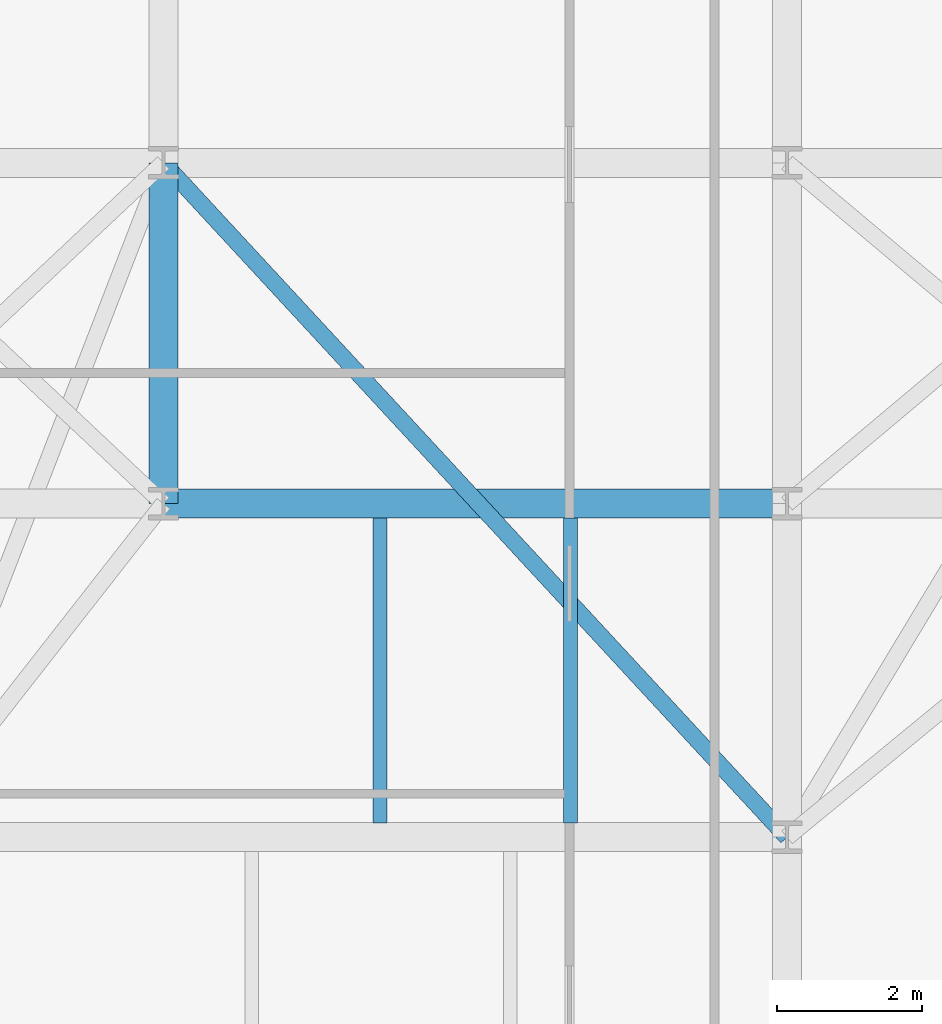
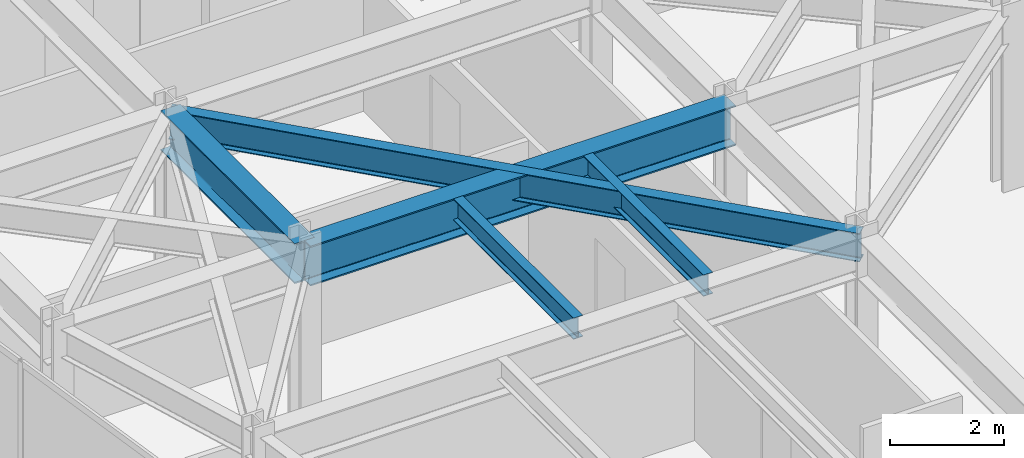
# One storey, part 10 of 26: 5 beams.
"""IFC4 building model written with IfcOpenShell, lengths in metres."""

from ifc_helpers import new_model, si_unit, direction, frame, origin, origin_2d, place, context, subcontext, project, spatial, i_section, extrude, material, material_profile, profile_set, type_object, element, save


model = new_model("IFC4")

# Units and contexts
model_context = context("Model", 3, precision=1e-05, world=origin(), true_north=direction((0.0, 1.0)))
body_context = subcontext(model_context, "Body", "Model", "MODEL_VIEW")
ifc_project = project(units=[si_unit("LENGTHUNIT", "METRE"), si_unit("AREAUNIT", "SQUARE_METRE"), si_unit("VOLUMEUNIT", "CUBIC_METRE"), si_unit("PLANEANGLEUNIT", "RADIAN"), si_unit("MASSUNIT", "GRAM", prefix="KILO")], contexts=[model_context])

# Site, building, storey
site_placement = place(None, origin())
site = spatial("IfcSite", under=ifc_project, at=site_placement, CompositionType="ELEMENT")
building_placement = place(site_placement, origin())
building = spatial("IfcBuilding", under=site, at=building_placement, Name="Kravanh Interchange Tower", CompositionType="ELEMENT")
storey_placement = place(building_placement, frame((0.0, 0.0, 136.0)))
storey = spatial("IfcBuildingStorey", under=building, at=storey_placement, Name="L32", CompositionType="ELEMENT", Elevation=136.0)

# Beams
ifc_material_1 = material(Name="Structural Steel S355", Category="steel")
ifc_material_profile_1 = material_profile(ifc_material_1, i_section(OverallWidth=0.39990234375, OverallDepth=0.85595703125, WebThickness=0.018310546875, FlangeThickness=0.029296875, FilletRadius=0.02490234375, at=origin_2d()), Name="W33X201")
ifc_profile_set_1 = profile_set([ifc_material_profile_1], Name="Structural Steel S355")
beam_type_1 = type_object("IfcBeamType", Name="Floor Beam W33X201 Structural Steel S355", PredefinedType="BEAM", material=ifc_profile_set_1)
beam_1_placement = place(storey_placement, frame((18.60009765625, 26.800048828125, 3.322021484375), z_axis=(0.0, 1.0, 0.0), x_axis=(-1.0, 0.0, 0.0)))
element("IfcBeam", 1, at=beam_1_placement, inside=storey, type_object=beam_type_1, Name="L32 Primary Floor Girder 41", PredefinedType="BEAM", context=body_context, shape_type="SweptSolid", body=[
    extrude(i_section(OverallWidth=0.39990234375, OverallDepth=0.85595703125, WebThickness=0.018310546875, FlangeThickness=0.029296875, FilletRadius=0.02490234375, at=origin_2d()), origin(), (0.0, 0.0, 1.0), 4.699951171875),
])
beam_2_placement = place(storey_placement, frame((18.60009765625, 26.800048828125, 3.322021484375), z_axis=(1.0, 0.0, 0.0), x_axis=(0.0, 1.0, 0.0)))
element("IfcBeam", 2, at=beam_2_placement, inside=storey, type_object=beam_type_1, Name="L32 Primary Floor Girder 44", PredefinedType="BEAM", context=body_context, shape_type="SweptSolid", body=[
    extrude(i_section(OverallWidth=0.39990234375, OverallDepth=0.85595703125, WebThickness=0.018310546875, FlangeThickness=0.029296875, FilletRadius=0.02490234375, at=origin_2d()), origin(), (0.0, 0.0, 1.0), 8.599853515625),
])
ifc_material_2 = material(Name="Structural Steel S355", Category="steel")
ifc_material_profile_2 = material_profile(ifc_material_2, i_section(OverallWidth=0.18994140625, OverallDepth=0.45703125, WebThickness=0.009033203125, FlangeThickness=0.014404296875, FilletRadius=0.01806640625, at=origin_2d()), Name="W18X50")
ifc_profile_set_2 = profile_set([ifc_material_profile_2], Name="Structural Steel S355")
beam_type_2 = type_object("IfcBeamType", Name="Floor Joist W18X50 Structural Steel S355", PredefinedType="JOIST", material=ifc_profile_set_2)
for number, where, z_axis, x_axis, name in (
    (3, (21.5859375, 22.39501953125, 3.521484375), (0.0, 1.0, 0.0), (-1.0, 0.0, 0.0), "L32 Secondary Floor Joist 11"),
    (4, (24.214111328125, 22.39501953125, 3.521484375), (0.0, 1.0, 0.0), (-1.0, 0.0, 0.0), "L32 Secondary Floor Joist 12"),
):
    element("IfcBeam", number, at=place(storey_placement, frame(where, z_axis=z_axis, x_axis=x_axis)), inside=storey, type_object=beam_type_2, Name=name, PredefinedType="JOIST", context=body_context, shape_type="SweptSolid", body=[
        extrude(i_section(OverallWidth=0.18994140625, OverallDepth=0.45703125, WebThickness=0.009033203125, FlangeThickness=0.014404296875, FilletRadius=0.01806640625, at=origin_2d()), origin(), (0.0, 0.0, 1.0), 4.2099609375),
    ])
ifc_material_3 = material(Name="Structural Steel S355", Category="steel")
ifc_material_profile_3 = material_profile(ifc_material_3, i_section(OverallWidth=0.22802734375, OverallDepth=0.60791015625, WebThickness=0.01123046875, FlangeThickness=0.017333984375, FilletRadius=0.02197265625, at=origin_2d()), Name="W24X76")
ifc_profile_set_3 = profile_set([ifc_material_profile_3], Name="Structural Steel S355")
beam_type_3 = type_object("IfcBeamType", Name="Floor Spandrel W24X76 Structural Steel S355", PredefinedType="SPANDREL", material=ifc_profile_set_3)
beam_3_placement = place(storey_placement, frame((18.60009765625, 31.5, 3.446044921875), z_axis=(0.678927458783, -0.734205356634, 0.0), x_axis=(0.734205356634, 0.678927458783, 0.0)))
element("IfcBeam", 5, at=beam_3_placement, inside=storey, type_object=beam_type_3, Name="L32 Perimeter Spandrel 73", PredefinedType="SPANDREL", context=body_context, shape_type="SweptSolid", body=[
    extrude(i_section(OverallWidth=0.22802734375, OverallDepth=0.60791015625, WebThickness=0.01123046875, FlangeThickness=0.017333984375, FilletRadius=0.02197265625, at=origin_2d()), origin(), (0.0, 0.0, 1.0), 12.666748046875),
])

save(model, "model.ifc")
